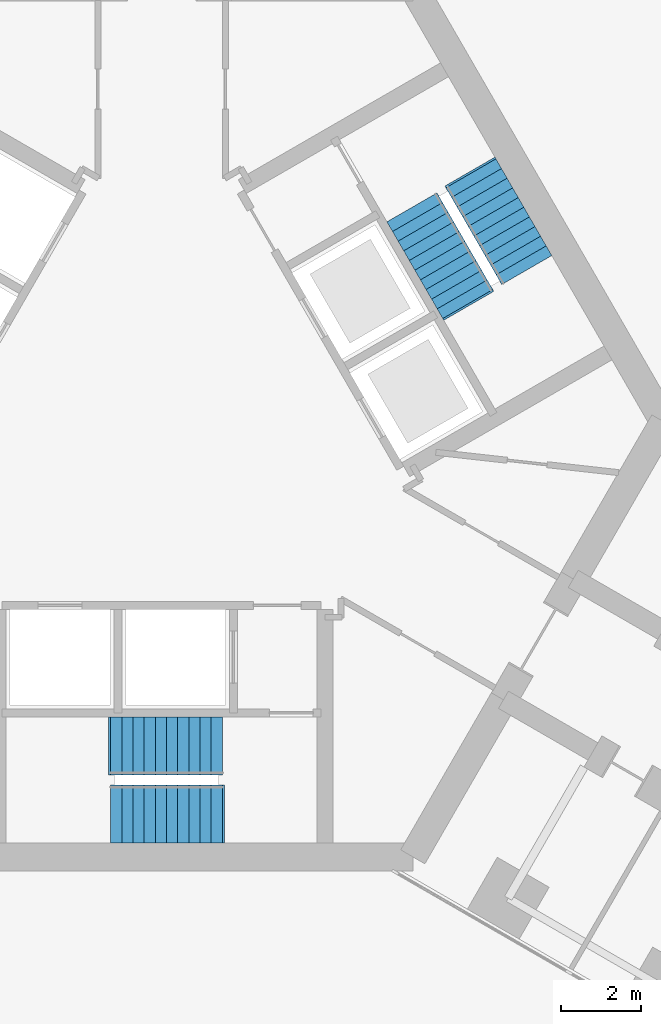
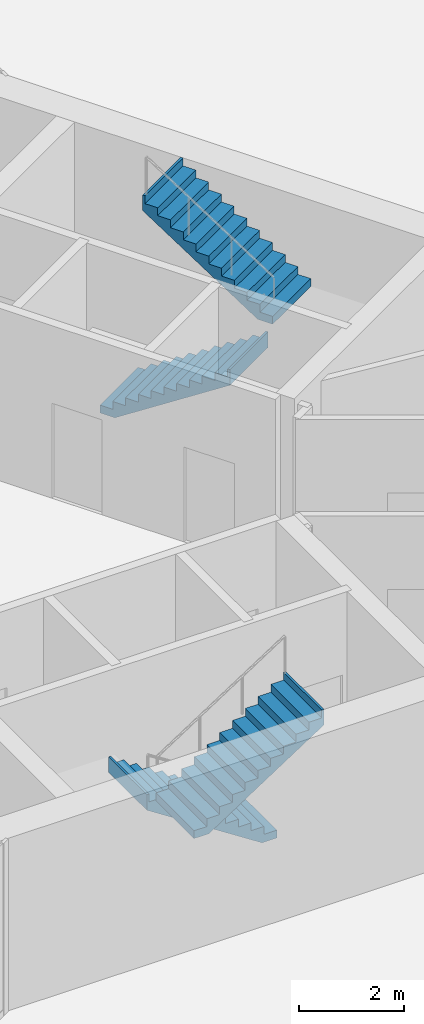
# One storey, part 20 of 23: 4 stair flights, 2 elements without a shape of their own.
"""IFC4 building model written with IfcOpenShell, lengths in metres."""

import ifcopenshell
import ifcopenshell.guid

model = None  # the IFC model being written
_history = None  # IfcOwnerHistory: only IFC2X3 demands one
_inside = {}  # id of a spatial element -> (the spatial element, [elements in it])
_under = {}  # id of a project, library or spatial element -> (it, [spatial elements below it])
_declared = {}  # id of a project -> (the project, [libraries it declares])
_typed = {}  # id of a type object -> (the type object, [elements of that type])
_made_of = {}  # id of a material, layer set ... -> (it, [elements and type objects made of it])


def new_model(schema):
    """Start an empty IFC model of exactly this schema.

    Asked for "IFC4X3", IfcOpenShell would pick the latest addendum, in which some entities
    have other attributes; the version numbers below select the first issue.
    IFC2X3 requires an IfcOwnerHistory on every rooted entity: one is made here for all.
    """
    global model, _history
    if schema == "IFC4X3":
        model = ifcopenshell.file(schema_version=(4, 3, 0, 0))
    else:
        model = ifcopenshell.file(schema=schema)
    _inside.clear()
    _under.clear()
    _declared.clear()
    _typed.clear()
    _made_of.clear()
    _history = None
    if model.schema == "IFC2X3":
        org = make("IfcOrganization", Name="unknown")
        user = make(
            "IfcPersonAndOrganization",
            ThePerson=make("IfcPerson", FamilyName="unknown"),
            TheOrganization=org,
        )
        app = make(
            "IfcApplication",
            ApplicationDeveloper=org,
            Version="unknown",
            ApplicationFullName="unknown",
            ApplicationIdentifier="unknown",
        )
        _history = make(
            "IfcOwnerHistory",
            OwningUser=user,
            OwningApplication=app,
            ChangeAction="ADDED",
            CreationDate=0,
        )
    return model


def make(cls, **values):
    """One entity of the class cls with the attributes given. An attribute that is None is left unset."""
    return model.create_entity(
        cls, **{name: value for name, value in values.items() if value is not None}
    )


def rooted(cls, **values):
    """An entity with a GlobalId (a new one), such as an element, a storey or a relation."""
    return make(cls, GlobalId=ifcopenshell.guid.new(), OwnerHistory=_history, **values)


def si_unit(unit_type, name, prefix=None):
    """IfcSIUnit, for example si_unit("LENGTHUNIT", "METRE", prefix="MILLI")."""
    return make("IfcSIUnit", UnitType=unit_type, Prefix=prefix, Name=name)


def assignment(units):
    """IfcUnitAssignment: the units of a project."""
    return None if units is None else make("IfcUnitAssignment", Units=units)


def point(xyz):
    """IfcCartesianPoint."""
    return None if xyz is None else make("IfcCartesianPoint", Coordinates=xyz)


def direction(xyz):
    """IfcDirection."""
    return None if xyz is None else make("IfcDirection", DirectionRatios=xyz)


def frame(location, z_axis=None, x_axis=None):
    """IfcAxis2Placement3D, a coordinate frame: its origin and axes. An axis left out is left unset."""
    return make(
        "IfcAxis2Placement3D",
        Location=point(location),
        Axis=direction(z_axis),
        RefDirection=direction(x_axis),
    )


def origin():
    """The frame at (0, 0, 0) with its axes left unset."""
    return frame((0.0, 0.0, 0.0))


def place(relative_to, where):
    """IfcLocalPlacement: puts the frame where relative to a parent placement (None: the world)."""
    return make(
        "IfcLocalPlacement", PlacementRelTo=relative_to, RelativePlacement=where
    )


def context(
    kind, dimensions, precision=None, world=None, true_north=None, identifier=None
):
    """IfcGeometricRepresentationContext, for example the 3D "Model" context."""
    return make(
        "IfcGeometricRepresentationContext",
        ContextIdentifier=identifier,
        ContextType=kind,
        CoordinateSpaceDimension=dimensions,
        Precision=precision,
        WorldCoordinateSystem=world,
        TrueNorth=true_north,
    )


def subcontext(parent, identifier, kind, view, scale=None):
    """IfcGeometricRepresentationSubContext, for example "Body" below "Model"."""
    return make(
        "IfcGeometricRepresentationSubContext",
        ContextIdentifier=identifier,
        ContextType=kind,
        ParentContext=parent,
        TargetScale=scale,
        TargetView=view,
    )


def project(units=None, contexts=None):
    """IfcProject with its units and contexts."""
    return rooted(
        "IfcProject",
        Name="project",
        RepresentationContexts=contexts,
        UnitsInContext=assignment(units),
    )


def spatial(cls, under=None, at=None, **own):
    """A site, building, storey or space (cls), placed at a placement, below another one or the project."""
    s = rooted(cls, ObjectPlacement=at, **own)
    if under is not None:
        _under.setdefault(under.id(), (under, []))[1].append(s)
    return s


def polyline(points):
    """IfcPolyline through the points."""
    return make("IfcPolyline", Points=[point(p) for p in points])


def outline(outer, holes=None, kind="AREA"):
    """IfcArbitraryClosedProfileDef: a profile drawn as a closed curve; with holes, ...WithVoids."""
    if holes is None:
        return make("IfcArbitraryClosedProfileDef", ProfileType=kind, OuterCurve=outer)
    return make(
        "IfcArbitraryProfileDefWithVoids",
        ProfileType=kind,
        OuterCurve=outer,
        InnerCurves=holes,
    )


def extrude(swept, where, along, depth):
    """IfcExtrudedAreaSolid: the profile swept, set in the frame where, extruded along a direction by depth."""
    return make(
        "IfcExtrudedAreaSolid",
        SweptArea=swept,
        Position=where,
        ExtrudedDirection=direction(along),
        Depth=depth,
    )


def shape(context_of_items, identifier, shape_type, items):
    """IfcShapeRepresentation: the items that make up one representation, for example the "Body"."""
    return make(
        "IfcShapeRepresentation",
        ContextOfItems=context_of_items,
        RepresentationIdentifier=identifier,
        RepresentationType=shape_type,
        Items=items,
    )


def material(Name=None, Category=None):
    """IfcMaterial."""
    return make("IfcMaterial", Name=Name, Category=Category)


def made_of(thing, what):
    """Note that an element or type object is made of a material, layer set ...; save() writes the relation."""
    if what is not None:
        _made_of.setdefault(what.id(), (what, []))[1].append(thing)
    return thing


def type_object(cls, material=None, **own):
    """A type object (cls), such as IfcWallType, which elements share."""
    return made_of(rooted(cls, **own), material)


def element(
    cls,
    number,
    at=None,
    inside=None,
    cuts=None,
    type_object=None,
    material=None,
    context=None,
    identifier="Body",
    shape_type=None,
    held_by="IfcProductDefinitionShape",
    body=None,
    shapes=None,
    **own,
):
    """One element of the class cls, such as IfcWall. Its Tag is "e" and its number.

    at: its placement. inside: the storey or other place that contains it. cuts: it is an
    opening in that element (IfcRelVoidsElement). A single representation is given by context,
    identifier, shape_type and body (its items); several are given by shapes. held_by: the class
    of the entity that holds the representations. save() writes the other relations.
    """
    e = rooted(cls, Tag="e%d" % number, ObjectPlacement=at, **own)
    if body is not None:
        shapes = [shape(context, identifier, shape_type, body)]
    if shapes is not None:
        e.Representation = make(held_by, Representations=shapes)
    if inside is not None:
        _inside.setdefault(inside.id(), (inside, []))[1].append(e)
    if cuts is not None:
        rooted(
            "IfcRelVoidsElement", RelatingBuildingElement=cuts, RelatedOpeningElement=e
        )
    if type_object is not None:
        _typed.setdefault(type_object.id(), (type_object, []))[1].append(e)
    return made_of(e, material)


def aggregate(whole, parts):
    """IfcRelAggregates: a whole, such as a stair, and the parts it consists of."""
    return rooted("IfcRelAggregates", RelatingObject=whole, RelatedObjects=parts)


def save(model, path):
    """Write the relations noted so far, then the file.

    IfcRelAggregates (storeys below a building ...), IfcRelContainedInSpatialStructure (elements
    in a storey), IfcRelDefinesByType, IfcRelAssociatesMaterial and IfcRelDeclares: one each for
    every whole, place, type object, material and project.
    """
    for whole, parts in _under.values():
        aggregate(whole, parts)
    for where, things in _inside.values():
        rooted(
            "IfcRelContainedInSpatialStructure",
            RelatedElements=things,
            RelatingStructure=where,
        )
    for kind, things in _typed.values():
        rooted("IfcRelDefinesByType", RelatedObjects=things, RelatingType=kind)
    for what, things in _made_of.values():
        rooted("IfcRelAssociatesMaterial", RelatedObjects=things, RelatingMaterial=what)
    for by, libraries in _declared.values():
        rooted("IfcRelDeclares", RelatingContext=by, RelatedDefinitions=libraries)
    model.write(path)


model = new_model("IFC4")

# Units and contexts
model_context = context("Model", 3, precision=1e-05, world=origin(), true_north=direction((0.0, 1.0)))
body_context = subcontext(model_context, "Body", "Model", "MODEL_VIEW")
ifc_project = project(units=[si_unit("LENGTHUNIT", "METRE"), si_unit("AREAUNIT", "SQUARE_METRE"), si_unit("VOLUMEUNIT", "CUBIC_METRE"), si_unit("PLANEANGLEUNIT", "RADIAN"), si_unit("MASSUNIT", "GRAM", prefix="KILO")], contexts=[model_context])

# Site, building, storey
site_placement = place(None, origin())
site = spatial("IfcSite", under=ifc_project, at=site_placement, CompositionType="ELEMENT")
building_placement = place(site_placement, origin())
building = spatial("IfcBuilding", under=site, at=building_placement, Name="Upepo Twin Towers", CompositionType="ELEMENT")
storey_placement = place(building_placement, frame((0.0, 0.0, 20.5)))
storey = spatial("IfcBuildingStorey", under=building, at=storey_placement, Name="L04", CompositionType="ELEMENT", Elevation=20.5)

# Stair, stair flights
ifc_material_1 = material(Name="Concrete C40/50", Category="concrete")
stair_type = type_object("IfcStairType", Name="Core stair, two flights", PredefinedType="HALF_TURN_STAIR", material=ifc_material_1)
stair_1_placement = place(storey_placement, origin())
stair_1 = element("IfcStair", 1, at=stair_1_placement, inside=storey, type_object=stair_type, Name="T2 stair S1 L04", PredefinedType="HALF_TURN_STAIR")
ifc_material_2 = material(Name="Concrete C40/50", Category="concrete")
stair_flight_type = type_object("IfcStairFlightType", Name="Stair flight 1450 RC", PredefinedType="STRAIGHT", material=ifc_material_2)
stair_flight_1_placement = place(storey_placement, frame((60.02001953125, -26.125, 0.0), z_axis=(0.0, 0.0, 1.0), x_axis=(-1.0, 0.0, 0.0)))
stair_flight_1 = element("IfcStairFlight", 2, at=stair_flight_1_placement, type_object=stair_flight_type, Name="Stair S1 flight 1", NumberOfRisers=11, NumberOfTreads=10, PredefinedType="STRAIGHT", RiserHeight=0.181818182, TreadLength=0.28, context=body_context, shape_type="SweptSolid", body=[
    extrude(outline(polyline([(0.0, 0.0), (0.0, 0.181884765625), (0.280029296875, 0.181884765625), (0.280029296875, 0.363525390625), (0.56005859375, 0.363525390625), (0.56005859375, 0.54541015625), (0.840087890625, 0.54541015625), (0.840087890625, 0.727294921875), (1.1201171875, 0.727294921875), (1.1201171875, 0.9091796875), (1.39990234375, 0.9091796875), (1.39990234375, 1.0908203125), (1.679931640625, 1.0908203125), (1.679931640625, 1.272705078125), (1.9599609375, 1.272705078125), (1.9599609375, 1.45458984375), (2.239990234375, 1.45458984375), (2.239990234375, 1.636474609375), (2.52001953125, 1.636474609375), (2.52001953125, 1.818115234375), (2.800048828125, 1.818115234375), (2.800048828125, 2.0), (2.85009765625, 2.0), (2.85009765625, 1.639404296875), (0.3251953125, 0.0), (0.0, 0.0)])), frame((0.0, 0.72509765625, 0.0), z_axis=(0.0, -1.0, 0.0), x_axis=(1.0, 0.0, 0.0)), (0.0, 0.0, 1.0), 1.449951171875),
])
stair_flight_2_placement = place(storey_placement, frame((57.219970703125, -27.833251953125, 2.0), z_axis=(0.0, 0.0, 1.0), x_axis=(1.0, 0.0, 0.0)))
stair_flight_2 = element("IfcStairFlight", 3, at=stair_flight_2_placement, type_object=stair_flight_type, Name="Stair S1 flight 2", NumberOfRisers=11, NumberOfTreads=10, PredefinedType="STRAIGHT", RiserHeight=0.181818182, TreadLength=0.28, context=body_context, shape_type="SweptSolid", body=[
    extrude(outline(polyline([(0.0, 0.0), (0.0, 0.181884765625), (0.280029296875, 0.181884765625), (0.280029296875, 0.363525390625), (0.56005859375, 0.363525390625), (0.56005859375, 0.54541015625), (0.840087890625, 0.54541015625), (0.840087890625, 0.727294921875), (1.1201171875, 0.727294921875), (1.1201171875, 0.9091796875), (1.39990234375, 0.9091796875), (1.39990234375, 1.0908203125), (1.679931640625, 1.0908203125), (1.679931640625, 1.272705078125), (1.9599609375, 1.272705078125), (1.9599609375, 1.45458984375), (2.239990234375, 1.45458984375), (2.239990234375, 1.636474609375), (2.52001953125, 1.636474609375), (2.52001953125, 1.818115234375), (2.800048828125, 1.818115234375), (2.800048828125, 2.0), (2.85009765625, 2.0), (2.85009765625, 1.639404296875), (0.3251953125, 0.0), (0.0, 0.0)])), frame((0.0, 0.72509765625, 0.0), z_axis=(0.0, -1.0, 0.0), x_axis=(1.0, 0.0, 0.0)), (0.0, 0.0, 1.0), 1.449951171875),
])
aggregate(stair_1, [stair_flight_1, stair_flight_2])

stair_2_placement = place(storey_placement, origin())
stair_2 = element("IfcStair", 4, at=stair_2_placement, inside=storey, type_object=stair_type, Name="T2 stair S2 L04", PredefinedType="HALF_TURN_STAIR")
stair_flight_3_placement = place(storey_placement, frame((64.7763671875, -12.62109375, 0.0), z_axis=(0.0, 0.0, 1.0), x_axis=(0.5, -0.866025403784, 0.0)))
stair_flight_3 = element("IfcStairFlight", 5, at=stair_flight_3_placement, type_object=stair_flight_type, Name="Stair S2 flight 1", NumberOfRisers=11, NumberOfTreads=10, PredefinedType="STRAIGHT", RiserHeight=0.181818182, TreadLength=0.28, context=body_context, shape_type="SweptSolid", body=[
    extrude(outline(polyline([(0.0, 0.0), (0.0, 0.181884765625), (0.280029296875, 0.181884765625), (0.280029296875, 0.363525390625), (0.56005859375, 0.363525390625), (0.56005859375, 0.54541015625), (0.840087890625, 0.54541015625), (0.840087890625, 0.727294921875), (1.1201171875, 0.727294921875), (1.1201171875, 0.9091796875), (1.39990234375, 0.9091796875), (1.39990234375, 1.0908203125), (1.679931640625, 1.0908203125), (1.679931640625, 1.272705078125), (1.9599609375, 1.272705078125), (1.9599609375, 1.45458984375), (2.239990234375, 1.45458984375), (2.239990234375, 1.636474609375), (2.52001953125, 1.636474609375), (2.52001953125, 1.818115234375), (2.800048828125, 1.818115234375), (2.800048828125, 2.0), (2.85009765625, 2.0), (2.85009765625, 1.639404296875), (0.3251953125, 0.0), (0.0, 0.0)])), frame((0.0, 0.72509765625, 0.0), z_axis=(0.0, -1.0, 0.0), x_axis=(1.0, 0.0, 0.0)), (0.0, 0.0, 1.0), 1.449951171875),
])
stair_flight_4_placement = place(storey_placement, frame((67.656005859375, -14.19189453125, 2.0), z_axis=(0.0, 0.0, 1.0), x_axis=(-0.5, 0.866025403784, 0.0)))
stair_flight_4 = element("IfcStairFlight", 6, at=stair_flight_4_placement, type_object=stair_flight_type, Name="Stair S2 flight 2", NumberOfRisers=11, NumberOfTreads=10, PredefinedType="STRAIGHT", RiserHeight=0.181818182, TreadLength=0.28, context=body_context, shape_type="SweptSolid", body=[
    extrude(outline(polyline([(0.0, 0.0), (0.0, 0.181884765625), (0.280029296875, 0.181884765625), (0.280029296875, 0.363525390625), (0.56005859375, 0.363525390625), (0.56005859375, 0.54541015625), (0.840087890625, 0.54541015625), (0.840087890625, 0.727294921875), (1.1201171875, 0.727294921875), (1.1201171875, 0.9091796875), (1.39990234375, 0.9091796875), (1.39990234375, 1.0908203125), (1.679931640625, 1.0908203125), (1.679931640625, 1.272705078125), (1.9599609375, 1.272705078125), (1.9599609375, 1.45458984375), (2.239990234375, 1.45458984375), (2.239990234375, 1.636474609375), (2.52001953125, 1.636474609375), (2.52001953125, 1.818115234375), (2.800048828125, 1.818115234375), (2.800048828125, 2.0), (2.85009765625, 2.0), (2.85009765625, 1.639404296875), (0.3251953125, 0.0), (0.0, 0.0)])), frame((0.0, 0.72509765625, 0.0), z_axis=(0.0, -1.0, 0.0), x_axis=(1.0, 0.0, 0.0)), (0.0, 0.0, 1.0), 1.449951171875),
])
aggregate(stair_2, [stair_flight_3, stair_flight_4])

save(model, "model.ifc")
